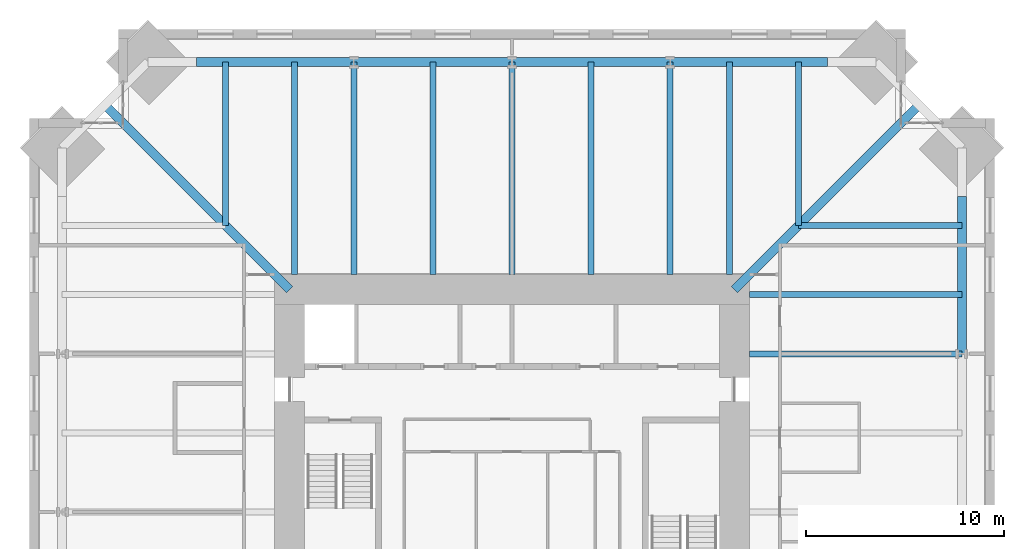
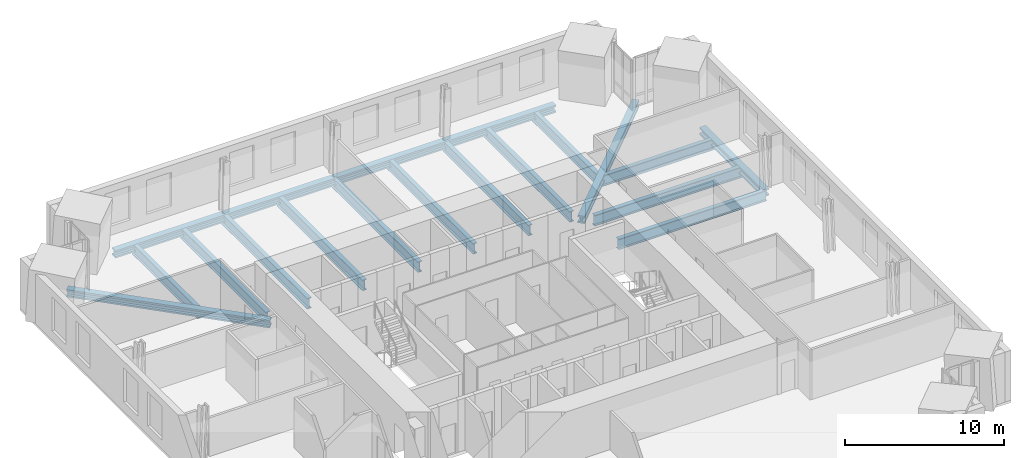
# One storey, part 7 of 15: 14 beams, 5 members.
"""IFC4 building model written with IfcOpenShell, lengths in metres."""

from ifc_helpers import new_model, si_unit, direction, frame, origin, origin_2d, place, context, subcontext, project, spatial, i_section, extrude, material, material_profile, profile_set, type_object, element, save


model = new_model("IFC4")

# Units and contexts
model_context = context("Model", 3, precision=1e-05, world=origin(), true_north=direction((0.0, 1.0)))
body_context = subcontext(model_context, "Body", "Model", "MODEL_VIEW")
ifc_project = project(units=[si_unit("LENGTHUNIT", "METRE"), si_unit("AREAUNIT", "SQUARE_METRE"), si_unit("VOLUMEUNIT", "CUBIC_METRE"), si_unit("PLANEANGLEUNIT", "RADIAN"), si_unit("MASSUNIT", "GRAM", prefix="KILO")], contexts=[model_context])

# Site, building, storey
site_placement = place(None, origin())
site = spatial("IfcSite", under=ifc_project, at=site_placement, CompositionType="ELEMENT")
building_placement = place(site_placement, origin())
building = spatial("IfcBuilding", under=site, at=building_placement, Name="Peilmerk Tower", CompositionType="ELEMENT")
storey_placement = place(building_placement, frame((0.0, 0.0, 201.800048828125)))
storey = spatial("IfcBuildingStorey", under=building, at=storey_placement, Name="L43", CompositionType="ELEMENT", Elevation=201.800048828125)

# Beams
ifc_material = material(Name="Steel S460", Category="steel")
ifc_material_profile_1 = material_profile(ifc_material, i_section(OverallWidth=0.302978515625, OverallDepth=0.81396484375, WebThickness=0.02099609375, FlangeThickness=0.0400390625, at=origin_2d()), Name="HEM 800")
ifc_profile_set_1 = profile_set([ifc_material_profile_1], Name="Steel S460")
beam_type_1 = type_object("IfcBeamType", Name="B26 HEM 800 floor beam", PredefinedType="BEAM", material=ifc_profile_set_1)
for number, where, z_axis, x_axis, name in (
    (1, (11.0, 12.0, -0.5771484375), (0.0, 1.0, 0.0), (-1.0, 0.0, 0.0), "Floor beam L43"),
    (2, (8.0, 12.0, -0.5771484375), (0.0, 1.0, 0.0), (-1.0, 0.0, 0.0), "Floor beam L43"),
    (3, (4.0, 12.0, -0.5771484375), (0.0, 1.0, 0.0), (-1.0, 0.0, 0.0), "Floor beam L43"),
    (4, (0.0, 12.0, -0.5771484375), (0.0, 1.0, 0.0), (-1.0, 0.0, 0.0), "Floor beam L43"),
    (5, (-4.0, 12.0, -0.5771484375), (0.0, 1.0, 0.0), (-1.0, 0.0, 0.0), "Floor beam L43"),
    (6, (-8.0, 12.0, -0.5771484375), (0.0, 1.0, 0.0), (-1.0, 0.0, 0.0), "Floor beam L43"),
    (7, (-11.0, 12.0, -0.5771484375), (0.0, 1.0, 0.0), (-1.0, 0.0, 0.0), "Floor beam L43"),
    (8, (12.0, 8.0, -0.5771484375), (1.0, 0.0, 0.0), (0.0, 1.0, 0.0), "Floor beam L43"),
    (9, (12.0, 11.0, -0.5771484375), (1.0, 0.0, 0.0), (0.0, 1.0, 0.0), "Floor beam L43"),
):
    element("IfcBeam", number, at=place(storey_placement, frame(where, z_axis=z_axis, x_axis=x_axis)), inside=storey, type_object=beam_type_1, Name=name, PredefinedType="BEAM", context=body_context, shape_type="SweptSolid", body=[
        extrude(i_section(OverallWidth=0.302978515625, OverallDepth=0.81396484375, WebThickness=0.02099609375, FlangeThickness=0.0400390625, at=origin_2d()), origin(), (0.0, 0.0, 1.0), 10.759765625),
    ])
for number, where, z_axis, x_axis, name in (
    (10, (14.5, 14.5, -0.5771484375), (0.0, 1.0, 0.0), (-1.0, 0.0, 0.0), "Floor beam L43"),
    (11, (14.5, 14.5, -0.5771484375), (1.0, 0.0, 0.0), (0.0, 1.0, 0.0), "Floor beam L43"),
    (12, (-14.5, 14.5, -0.5771484375), (0.0, 1.0, 0.0), (-1.0, 0.0, 0.0), "Floor beam L43"),
):
    element("IfcBeam", number, at=place(storey_placement, frame(where, z_axis=z_axis, x_axis=x_axis)), inside=storey, type_object=beam_type_1, Name=name, PredefinedType="BEAM", context=body_context, shape_type="SweptSolid", body=[
        extrude(i_section(OverallWidth=0.302978515625, OverallDepth=0.81396484375, WebThickness=0.02099609375, FlangeThickness=0.0400390625, at=origin_2d()), origin(), (0.0, 0.0, 1.0), 8.259765625),
    ])
ifc_material_profile_2 = material_profile(ifc_material, i_section(OverallWidth=0.4541015625, OverallDepth=0.569091796875, WebThickness=0.077880859375, FlangeThickness=0.125, at=origin_2d()), Name="HD 400x1086")
ifc_profile_set_2 = profile_set([ifc_material_profile_2], Name="Steel S460")
beam_type_2 = type_object("IfcBeamType", Name="B9 HD 400x1086 corner girder", PredefinedType="BEAM", material=ifc_profile_set_2)
for number, where, z_axis, x_axis, name in (
    (13, (11.25, 11.25, -0.45458984375), (0.707106781187, 0.707106781187, 0.0), (-0.707106781187, 0.707106781187, 0.0), "Corner girder L43"),
    (14, (-11.25, 11.25, -0.45458984375), (-0.707106781187, 0.707106781187, 0.0), (-0.707106781187, -0.707106781187, 0.0), "Corner girder L43"),
):
    element("IfcBeam", number, at=place(storey_placement, frame(where, z_axis=z_axis, x_axis=x_axis)), inside=storey, type_object=beam_type_2, Name=name, PredefinedType="BEAM", context=body_context, shape_type="SweptSolid", body=[
        extrude(i_section(OverallWidth=0.4541015625, OverallDepth=0.569091796875, WebThickness=0.077880859375, FlangeThickness=0.125, at=origin_2d()), origin(), (0.0, 0.0, 1.0), 13.201171875),
    ])

# Members
ifc_material_profile_3 = material_profile(ifc_material, i_section(OverallWidth=0.4541015625, OverallDepth=0.569091796875, WebThickness=0.077880859375, FlangeThickness=0.125, at=origin_2d()), Name="HD 400x1086")
ifc_profile_set_3 = profile_set([ifc_material_profile_3], Name="Steel S460")
member_type = type_object("IfcMemberType", Name="M1 HD 400x1086 belt truss chord", PredefinedType="CHORD", material=ifc_profile_set_3)
member_placement = place(storey_placement, frame((15.949951171875, 22.759765625, -0.45458984375), z_axis=(-1.0, 0.0, 0.0), x_axis=(0.0, -1.0, 0.0)))
element("IfcMember", 15, at=member_placement, inside=storey, type_object=member_type, Name="Belt truss chord L43", PredefinedType="CHORD", context=body_context, shape_type="SweptSolid", body=[
    extrude(i_section(OverallWidth=0.4541015625, OverallDepth=0.569091796875, WebThickness=0.077880859375, FlangeThickness=0.125, at=origin_2d()), origin(), (0.0, 0.0, 1.0), 7.949951171875),
])
for number, where, z_axis, x_axis, name in (
    (16, (8.0, 22.759765625, -0.45458984375), (-1.0, 0.0, 0.0), (0.0, -1.0, 0.0), "Belt truss chord L43"),
    (17, (0.0, 22.759765625, -0.45458984375), (-1.0, 0.0, 0.0), (0.0, -1.0, 0.0), "Belt truss chord L43"),
):
    element("IfcMember", number, at=place(storey_placement, frame(where, z_axis=z_axis, x_axis=x_axis)), inside=storey, type_object=member_type, Name=name, PredefinedType="CHORD", context=body_context, shape_type="SweptSolid", body=[
        extrude(i_section(OverallWidth=0.4541015625, OverallDepth=0.569091796875, WebThickness=0.077880859375, FlangeThickness=0.125, at=origin_2d()), origin(), (0.0, 0.0, 1.0), 8.0),
    ])
for number, where, z_axis, x_axis, name in (
    (18, (-8.0, 22.759765625, -0.45458984375), (-1.0, 0.0, 0.0), (0.0, -1.0, 0.0), "Belt truss chord L43"),
    (19, (22.759765625, 8.0, -0.45458984375), (0.0, 1.0, 0.0), (-1.0, 0.0, 0.0), "Belt truss chord L43"),
):
    element("IfcMember", number, at=place(storey_placement, frame(where, z_axis=z_axis, x_axis=x_axis)), inside=storey, type_object=member_type, Name=name, PredefinedType="CHORD", context=body_context, shape_type="SweptSolid", body=[
        extrude(i_section(OverallWidth=0.4541015625, OverallDepth=0.569091796875, WebThickness=0.077880859375, FlangeThickness=0.125, at=origin_2d()), origin(), (0.0, 0.0, 1.0), 7.949951171875),
    ])

save(model, "model.ifc")
